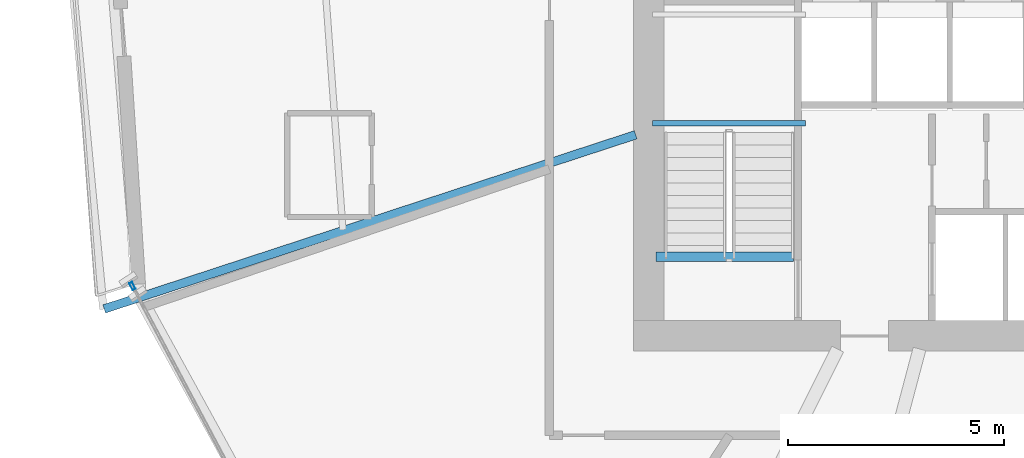
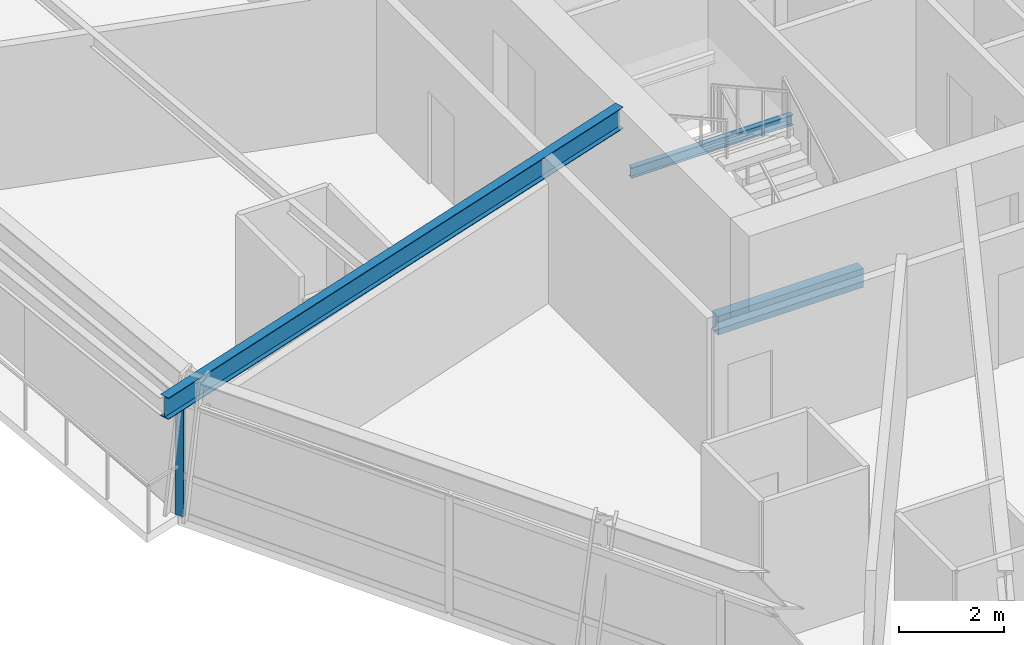
# One storey, part 5 of 21: 3 beams, 1 member, 1 element without a shape of its own.
"""IFC4 building model written with IfcOpenShell, lengths in metres."""

from ifc_helpers import new_model, si_unit, direction, frame, origin, origin_2d, place, context, subcontext, project, spatial, rectangle, hollow_rectangle, i_section, extrude, source, transform, mapped, material, material_profile, profile_set, type_object, element, aggregate, save


model = new_model("IFC4")

# Units and contexts
model_context = context("Model", 3, precision=1e-05, world=origin(), true_north=direction((0.0, 1.0)))
body_context = subcontext(model_context, "Body", "Model", "MODEL_VIEW")
ifc_project = project(units=[si_unit("LENGTHUNIT", "METRE"), si_unit("AREAUNIT", "SQUARE_METRE"), si_unit("VOLUMEUNIT", "CUBIC_METRE"), si_unit("PLANEANGLEUNIT", "RADIAN"), si_unit("MASSUNIT", "GRAM", prefix="KILO")], contexts=[model_context])

# Site, building, storey
site_placement = place(None, origin())
site = spatial("IfcSite", under=ifc_project, at=site_placement, CompositionType="ELEMENT")
building_placement = place(site_placement, origin())
building = spatial("IfcBuilding", under=site, at=building_placement, Name="Olszyna Solenne Hotel", CompositionType="ELEMENT")
storey_placement = place(building_placement, frame((0.0, 0.0, 105.699951171875)))
storey = spatial("IfcBuildingStorey", under=building, at=storey_placement, Name="L27", CompositionType="ELEMENT", Elevation=105.699951171875)

# Beam
ifc_material_1 = material(Name="Steel S355J2", Category="steel")
ifc_material_profile_1 = material_profile(ifc_material_1, i_section(OverallWidth=0.199951171875, OverallDepth=0.5, WebThickness=0.01025390625, FlangeThickness=0.01611328125, at=origin_2d()), Name="IPE 500", Category="load-bearing")
ifc_profile_set_1 = profile_set([ifc_material_profile_1], Name="Steel S355J2")
beam_type_1 = type_object("IfcBeamType", Name="BM-F3", PredefinedType="BEAM", material=ifc_profile_set_1)
shared_shape_1 = source(origin(), body_context, "Body", "SweptSolid", [
    extrude(i_section(OverallWidth=0.199951171875, OverallDepth=0.5, WebThickness=0.01025390625, FlangeThickness=0.01611328125, at=origin_2d()), origin(), (0.0, 0.0, 1.0), 12.9365234375),
])
beam_1_placement = place(storey_placement, frame((17.154052734375, 19.773193359375, 3.050048828125), z_axis=(0.950293817399, 0.31135455772, 0.0), x_axis=(-0.31135455772, 0.950293817399, 0.0)))
element("IfcBeam", 1, at=beam_1_placement, inside=storey, type_object=beam_type_1, Name="Radial floor girder BM-F3 B-L27-0827", PredefinedType="BEAM", context=body_context, shape_type="MappedRepresentation", body=[
    mapped(shared_shape_1, transform((0.0, 0.0, 0.0), x_axis=(1.0, 0.0, 0.0), y_axis=(0.0, 1.0, 0.0), z_axis=(0.0, 0.0, 1.0), scale=1.0)),
])

# Curtain wall, member
ifc_material_2 = material(Name="Anodised bronze aluminium", Category="aluminium")
curtain_wall_type = type_object("IfcCurtainWallType", Name="CW-SYS-3", PredefinedType="NOTDEFINED", material=ifc_material_2)
curtain_wall_placement = place(storey_placement, origin())
curtain_wall = element("IfcCurtainWall", 2, at=curtain_wall_placement, inside=storey, type_object=curtain_wall_type, Name="Unitised curtain wall CW-SYS-3 CW-L27-01", PredefinedType="NOTDEFINED")
ifc_material_profile_2 = material_profile(ifc_material_2, hollow_rectangle(XDim=0.074951171875, YDim=0.179931640625, WallThickness=0.00439453125, at=origin_2d()), Name="MULL 180x75x4.5", Category="load-bearing")
ifc_profile_set_2 = profile_set([ifc_material_profile_2], Name="Anodised bronze aluminium")
member_type = type_object("IfcMemberType", Name="CW-M2", PredefinedType="MULLION", material=ifc_profile_set_2)
shared_shape_2 = source(origin(), body_context, "Body", "SweptSolid", [
    extrude(hollow_rectangle(XDim=0.074951171875, YDim=0.179931640625, WallThickness=0.00439453125, at=origin_2d()), origin(), (0.0, 0.0, 1.0), 2.692138671875),
])
member_placement = place(storey_placement, frame((17.806640625, 20.303466796875, 0.0), z_axis=(0.0, 0.0, 1.0), x_axis=(0.882776566905, 0.46979307458, 0.0)))
member = element("IfcMember", 3, at=member_placement, type_object=member_type, Name="Curtain-wall mullion CW-M2 CM-L27-01-01", PredefinedType="MULLION", context=body_context, shape_type="MappedRepresentation", body=[
    mapped(shared_shape_2, transform((0.0, 0.0, 0.0), x_axis=(1.0, 0.0, 0.0), y_axis=(0.0, 1.0, 0.0), z_axis=(0.0, 0.0, 1.0), scale=1.0)),
])
aggregate(curtain_wall, [member])

# Beams
ifc_material_profile_3 = material_profile(ifc_material_1, i_section(OverallWidth=0.1201171875, OverallDepth=0.239990234375, WebThickness=0.006103515625, FlangeThickness=0.009765625, at=origin_2d()), Name="IPE 240", Category="load-bearing")
ifc_profile_set_3 = profile_set([ifc_material_profile_3], Name="Steel S355J2")
beam_type_2 = type_object("IfcBeamType", Name="JS-03", PredefinedType="JOIST", material=ifc_profile_set_3)
shared_shape_3 = source(origin(), body_context, "Body", "SweptSolid", [
    extrude(i_section(OverallWidth=0.1201171875, OverallDepth=0.239990234375, WebThickness=0.006103515625, FlangeThickness=0.009765625, at=origin_2d()), origin(), (0.0, 0.0, 1.0), 3.539794921875),
])
beam_2_placement = place(storey_placement, frame((33.3798828125, 24.070068359375, 1.449951171875), z_axis=(-1.0, 0.0, 0.0), x_axis=(0.0, -1.0, 0.0)))
element("IfcBeam", 4, at=beam_2_placement, inside=storey, type_object=beam_type_2, Name="Stair landing support beam JS-03 SLB-ST1-0059", PredefinedType="JOIST", context=body_context, shape_type="MappedRepresentation", body=[
    mapped(shared_shape_3, transform((0.0, 0.0, 0.0), x_axis=(1.0, 0.0, 0.0), y_axis=(0.0, 1.0, 0.0), z_axis=(0.0, 0.0, 1.0), scale=1.0)),
])
ifc_material_3 = material(Name="Concrete C50/60", Category="concrete")
ifc_material_profile_4 = material_profile(ifc_material_3, rectangle(XDim=0.219970703125, YDim=0.43994140625, at=origin_2d()), Name="RC 220x440", Category="load-bearing")
ifc_profile_set_4 = profile_set([ifc_material_profile_4], Name="Concrete C50/60")
beam_type_3 = type_object("IfcBeamType", Name="BM-ST1", PredefinedType="BEAM", material=ifc_profile_set_4)
shared_shape_4 = source(origin(), body_context, "Body", "SweptSolid", [
    extrude(rectangle(XDim=0.219970703125, YDim=0.43994140625, at=origin_2d()), origin(), (0.0, 0.0, 1.0), 3.18017578125),
])
beam_3_placement = place(storey_placement, frame((33.10009765625, 20.97998046875, -0.204833984375), z_axis=(-1.0, 0.0, 0.0), x_axis=(0.0, -1.0, 0.0)))
element("IfcBeam", 5, at=beam_3_placement, inside=storey, type_object=beam_type_3, Name="Concrete stair trimmer beam BM-ST1 SHB-ST1-0189", PredefinedType="BEAM", context=body_context, shape_type="MappedRepresentation", body=[
    mapped(shared_shape_4, transform((0.0, 0.0, 0.0), x_axis=(1.0, 0.0, 0.0), y_axis=(0.0, 1.0, 0.0), z_axis=(0.0, 0.0, 1.0), scale=1.0)),
])

save(model, "model.ifc")
